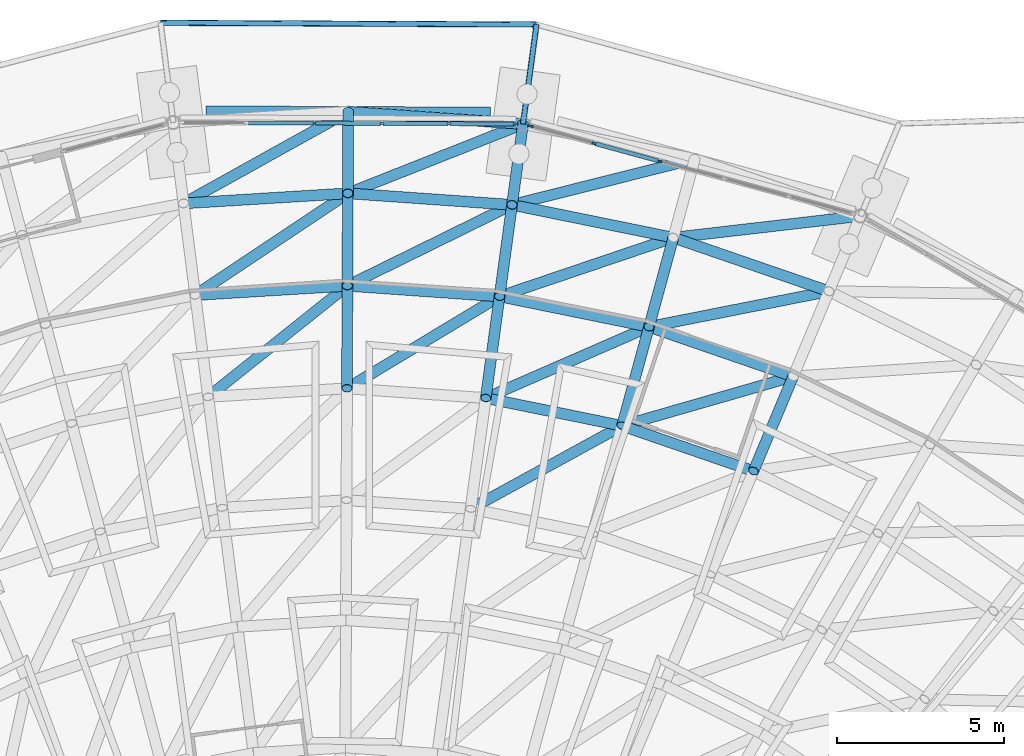
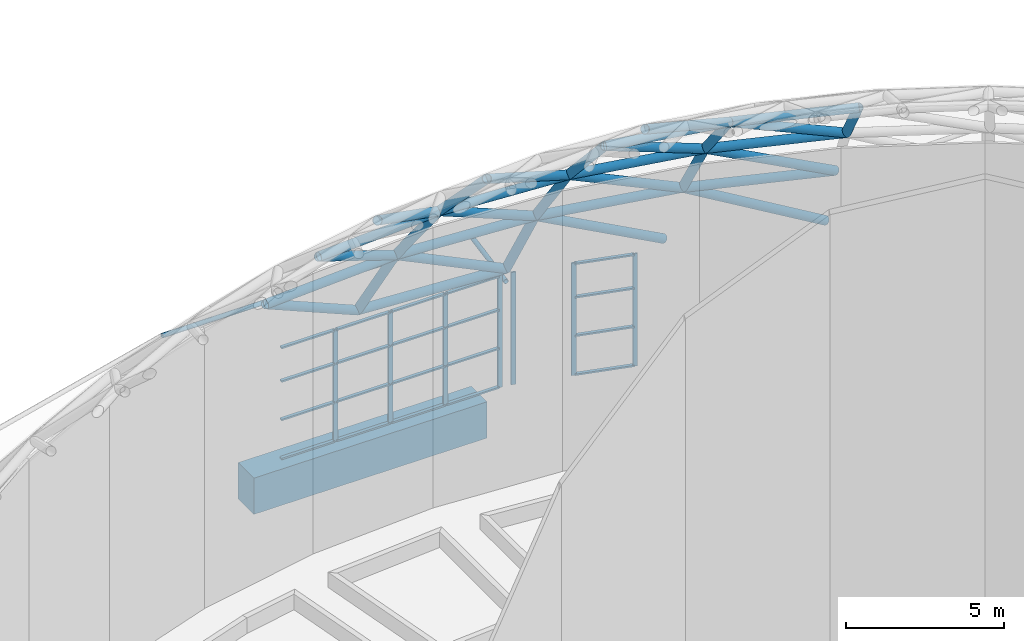
# One storey, part 118 of 226: 62 members, 1 beam, 2 elements without a shape of their own.
"""IFC4 building model written with IfcOpenShell, lengths in metres."""

from ifc_helpers import new_model, si_unit, direction, frame, origin, origin_2d, place, context, subcontext, project, spatial, rectangle, hollow_circle, extrude, material, material_profile, profile_set, type_object, element, aggregate, save


model = new_model("IFC4")

# Units and contexts
model_context = context("Model", 3, precision=1e-05, world=origin(), true_north=direction((0.0, 1.0)))
body_context = subcontext(model_context, "Body", "Model", "MODEL_VIEW")
ifc_project = project(units=[si_unit("LENGTHUNIT", "METRE"), si_unit("AREAUNIT", "SQUARE_METRE"), si_unit("VOLUMEUNIT", "CUBIC_METRE"), si_unit("PLANEANGLEUNIT", "RADIAN"), si_unit("MASSUNIT", "GRAM", prefix="KILO")], contexts=[model_context])

# Site, building, storey
site_placement = place(None, origin())
site = spatial("IfcSite", under=ifc_project, at=site_placement, CompositionType="ELEMENT")
building_placement = place(site_placement, origin())
building = spatial("IfcBuilding", under=site, at=building_placement, Name="Ceibo Conservatory and Research Tower", CompositionType="ELEMENT")
storey_placement = place(building_placement, origin())
storey = spatial("IfcBuildingStorey", under=building, at=storey_placement, Name="L00", CompositionType="ELEMENT", Elevation=0.0)

# Members
ifc_material_1 = material(Name="Steel ASTM A500 Gr C", Category="steel")
ifc_material_profile_1 = material_profile(ifc_material_1, hollow_circle(Radius=0.084228515625, WallThickness=0.007080078125, at=origin_2d()), Name="CHS 168.3x7.11")
ifc_profile_set_1 = profile_set([ifc_material_profile_1], Name="Steel ASTM A500 Gr C")
member_type_1 = type_object("IfcMemberType", Name="CHS 168.3x7.11", PredefinedType="NOTDEFINED", material=ifc_profile_set_1)
member_1_placement = place(storey_placement, frame((161.39404296875, 147.634521484375, 4.0), z_axis=(0.13470516102, 0.98984311441, -0.045443684375), x_axis=(-0.990866776767, 0.134844468553, 0.0)))
element("IfcMember", 1, at=member_1_placement, inside=storey, type_object=member_type_1, Name="Brim brace bracket A-BK06", PredefinedType="BRACE", context=body_context, shape_type="SweptSolid", body=[
    extrude(hollow_circle(Radius=0.084228515625, WallThickness=0.007080078125, at=origin_2d()), origin(), (0.0, 0.0, 1.0), 3.003173828125),
])
member_2_placement = place(storey_placement, frame((161.798583984375, 150.607177734375, 3.863525390625), z_axis=(-0.999990444449, 0.004371614236, 0.0), x_axis=(-0.004371614236, -0.999990444449, 0.0)))
element("IfcMember", 2, at=member_2_placement, inside=storey, type_object=member_type_1, Name="Brim tip ring A-TR10", PredefinedType="CHORD", context=body_context, shape_type="SweptSolid", body=[
    extrude(hollow_circle(Radius=0.084228515625, WallThickness=0.007080078125, at=origin_2d()), origin(), (0.0, 0.0, 1.0), 11.22509765625),
])
ifc_material_profile_2 = material_profile(ifc_material_1, hollow_circle(Radius=0.161865234375, WallThickness=0.01025390625, at=origin_2d()), Name="CHS 323.9x10.31")
ifc_profile_set_2 = profile_set([ifc_material_profile_2], Name="Steel ASTM A500 Gr C")
member_type_2 = type_object("IfcMemberType", Name="CHS 323.9x10.31", PredefinedType="NOTDEFINED", material=ifc_profile_set_2)
for number, where, z_axis, x_axis, name in (
    (3, (170.527099609375, 142.64208984375, 8.115966796875), (-0.945511761324, 0.325587943876, 0.0), (-0.325587943876, -0.945511761324, 0.0), "Gridshell member A-C02-09"),
    (4, (165.881103515625, 144.241943359375, 8.115966796875), (-0.979911984231, 0.199430446925, 0.0), (-0.199430446925, -0.979911984231, 0.0), "Gridshell member A-C02-10"),
    (5, (161.06591796875, 145.221923828125, 8.115966796875), (-0.997560558915, 0.069806384365, 0.0), (-0.069806384365, -0.997560558915, 0.0), "Gridshell member A-C02-11"),
):
    element("IfcMember", number, at=place(storey_placement, frame(where, z_axis=z_axis, x_axis=x_axis)), inside=storey, type_object=member_type_2, Name=name, PredefinedType="CHORD", context=body_context, shape_type="SweptSolid", body=[
        extrude(hollow_circle(Radius=0.161865234375, WallThickness=0.01025390625, at=origin_2d()), origin(), (0.0, 0.0, 1.0), 4.913818359375),
    ])
member_3_placement = place(storey_placement, frame((156.1640625, 145.56494140625, 8.115966796875), z_axis=(-0.998134248027, -0.061057537745, 0.0), x_axis=(0.061057537745, -0.998134248027, 0.0)))
element("IfcMember", 6, at=member_3_placement, inside=storey, type_object=member_type_2, Name="Gridshell member A-C02-12", PredefinedType="CHORD", context=body_context, shape_type="SweptSolid", body=[
    extrude(hollow_circle(Radius=0.161865234375, WallThickness=0.01025390625, at=origin_2d()), origin(), (0.0, 0.0, 1.0), 4.914306640625),
])
member_4_placement = place(storey_placement, frame((169.458984375, 140.096923828125, 11.489013671875), z_axis=(-0.945504565873, 0.325608838812, 0.0), x_axis=(-0.325608838812, -0.945504565873, 0.0)))
element("IfcMember", 7, at=member_4_placement, inside=storey, type_object=member_type_2, Name="Gridshell member A-C03-09", PredefinedType="CHORD", context=body_context, shape_type="SweptSolid", body=[
    extrude(hollow_circle(Radius=0.161865234375, WallThickness=0.01025390625, at=origin_2d()), origin(), (0.0, 0.0, 1.0), 4.552001953125),
])
member_5_placement = place(storey_placement, frame((165.155029296875, 141.5791015625, 11.489013671875), z_axis=(-0.979917310908, 0.199404272229, 0.0), x_axis=(-0.199404272229, -0.979917310908, 0.0)))
element("IfcMember", 8, at=member_5_placement, inside=storey, type_object=member_type_2, Name="Gridshell member A-C03-10", PredefinedType="CHORD", context=body_context, shape_type="SweptSolid", body=[
    extrude(hollow_circle(Radius=0.161865234375, WallThickness=0.01025390625, at=origin_2d()), origin(), (0.0, 0.0, 1.0), 4.553466796875),
])
member_6_placement = place(storey_placement, frame((160.693115234375, 142.487060546875, 11.489013671875), z_axis=(-0.997558967142, 0.0698291277, 0.0), x_axis=(-0.0698291277, -0.997558967142, 0.0)))
element("IfcMember", 9, at=member_6_placement, inside=storey, type_object=member_type_2, Name="Gridshell member A-C03-11", PredefinedType="CHORD", context=body_context, shape_type="SweptSolid", body=[
    extrude(hollow_circle(Radius=0.161865234375, WallThickness=0.01025390625, at=origin_2d()), origin(), (0.0, 0.0, 1.0), 4.55224609375),
])
member_7_placement = place(storey_placement, frame((156.152099609375, 142.804931640625, 11.489013671875), z_axis=(-0.998136170096, -0.061026108718, 0.0), x_axis=(0.061026108718, -0.998136170096, 0.0)))
element("IfcMember", 10, at=member_7_placement, inside=storey, type_object=member_type_2, Name="Gridshell member A-C03-12", PredefinedType="CHORD", context=body_context, shape_type="SweptSolid", body=[
    extrude(hollow_circle(Radius=0.161865234375, WallThickness=0.01025390625, at=origin_2d()), origin(), (0.0, 0.0, 1.0), 4.552734375),
])
member_8_placement = place(storey_placement, frame((168.27490234375, 137.27294921875, 14.591064453125), z_axis=(-0.945496636274, 0.325631863911, 0.0), x_axis=(-0.325631863911, -0.945496636274, 0.0)))
element("IfcMember", 11, at=member_8_placement, inside=storey, type_object=member_type_2, Name="Gridshell member A-C04-09", PredefinedType="CHORD", context=body_context, shape_type="SweptSolid", body=[
    extrude(hollow_circle(Radius=0.161865234375, WallThickness=0.01025390625, at=origin_2d()), origin(), (0.0, 0.0, 1.0), 4.152099609375),
])
member_9_placement = place(storey_placement, frame((164.34912109375, 138.625, 14.591064453125), z_axis=(-0.979914658126, 0.19941730815, 0.0), x_axis=(-0.19941730815, -0.979914658126, 0.0)))
element("IfcMember", 12, at=member_9_placement, inside=storey, type_object=member_type_2, Name="Gridshell member A-C04-10", PredefinedType="CHORD", context=body_context, shape_type="SweptSolid", body=[
    extrude(hollow_circle(Radius=0.161865234375, WallThickness=0.01025390625, at=origin_2d()), origin(), (0.0, 0.0, 1.0), 4.151611328125),
])
ifc_material_profile_3 = material_profile(ifc_material_1, hollow_circle(Radius=0.161865234375, WallThickness=0.01416015625, at=origin_2d()), Name="CHS 323.9x14.27")
ifc_profile_set_3 = profile_set([ifc_material_profile_3], Name="Steel ASTM A500 Gr C")
member_type_3 = type_object("IfcMemberType", Name="CHS 323.9x14.27", PredefinedType="NOTDEFINED", material=ifc_profile_set_3)
member_10_placement = place(storey_placement, frame((161.39404296875, 147.635009765625, 4.5), z_axis=(-0.075265420695, -0.553514448025, 0.829431656181), x_axis=(0.990881340725, -0.134737406104, 0.0)))
element("IfcMember", 13, at=member_10_placement, inside=storey, type_object=member_type_3, Name="Gridshell member A-M11-01", PredefinedType="RAFTER", context=body_context, shape_type="SweptSolid", body=[
    extrude(hollow_circle(Radius=0.161865234375, WallThickness=0.01416015625, at=origin_2d()), origin(), (0.0, 0.0, 1.0), 4.359619140625),
])
member_11_placement = place(storey_placement, frame((156.175048828125, 148.0, 4.5), z_axis=(-0.002520115107, -0.558569512856, 0.829453885594), x_axis=(0.999989822299, -0.00451168458, 0.0)))
element("IfcMember", 14, at=member_11_placement, inside=storey, type_object=member_type_3, Name="Gridshell member A-M12-01", PredefinedType="RAFTER", context=body_context, shape_type="SweptSolid", body=[
    extrude(hollow_circle(Radius=0.161865234375, WallThickness=0.01416015625, at=origin_2d()), origin(), (0.0, 0.0, 1.0), 4.359375),
])
for number, where, z_axis, x_axis, name in (
    (15, (165.881103515625, 144.241943359375, 8.115966796875), (-0.166593212939, -0.610972486053, 0.77392462339), (0.964778108691, -0.263065012858, 0.0), "Gridshell member A-M10-02"),
    (16, (161.06591796875, 145.221923828125, 8.115966796875), (-0.085536032676, -0.627488302576, 0.773913442992), (0.990836625864, -0.13506583893, 0.0), "Gridshell member A-M11-02"),
    (17, (156.1640625, 145.56494140625, 8.115966796875), (-0.002744819017, -0.633268958808, 0.773926929225), (0.999990606771, -0.004334324611, 0.0), "Gridshell member A-M12-02"),
):
    element("IfcMember", number, at=place(storey_placement, frame(where, z_axis=z_axis, x_axis=x_axis)), inside=storey, type_object=member_type_3, Name=name, PredefinedType="RAFTER", context=body_context, shape_type="SweptSolid", body=[
        extrude(hollow_circle(Radius=0.161865234375, WallThickness=0.01416015625, at=origin_2d()), origin(), (0.0, 0.0, 1.0), 4.3583984375),
    ])
for number, where, z_axis, x_axis, name in (
    (18, (169.458984375, 140.096923828125, 11.489013671875), (-0.271649894063, -0.647870994768, 0.711666712158), (0.922213642402, -0.386680743983, 0.0), "Gridshell member A-M09-03"),
    (19, (165.155029296875, 141.5791015625, 11.489013671875), (-0.184893261593, -0.677736584451, 0.711679424962), (0.964743579008, -0.263191616058, 0.0), "Gridshell member A-M10-03"),
):
    element("IfcMember", number, at=place(storey_placement, frame(where, z_axis=z_axis, x_axis=x_axis)), inside=storey, type_object=member_type_3, Name=name, PredefinedType="RAFTER", context=body_context, shape_type="SweptSolid", body=[
        extrude(hollow_circle(Radius=0.161865234375, WallThickness=0.01416015625, at=origin_2d()), origin(), (0.0, 0.0, 1.0), 4.35888671875),
    ])
for number, where, z_axis, x_axis, name in (
    (20, (160.693115234375, 142.487060546875, 11.489013671875), (-0.094547361543, -0.696110550504, 0.711681739194), (0.990901834894, -0.134586602615, 0.0), "Gridshell member A-M11-03"),
    (21, (156.152099609375, 142.804931640625, 11.489013671875), (-0.003024618665, -0.702495690598, 0.711681569505), (0.99999073132, -0.004305493501, 0.0), "Gridshell member A-M12-03"),
):
    element("IfcMember", number, at=place(storey_placement, frame(where, z_axis=z_axis, x_axis=x_axis)), inside=storey, type_object=member_type_3, Name=name, PredefinedType="RAFTER", context=body_context, shape_type="SweptSolid", body=[
        extrude(hollow_circle(Radius=0.161865234375, WallThickness=0.01416015625, at=origin_2d()), origin(), (0.0, 0.0, 1.0), 4.358642578125),
    ])
ifc_material_2 = material(Name="Steel S355J2H", Category="steel")
ifc_material_profile_4 = material_profile(ifc_material_2, hollow_circle(Radius=0.161865234375, WallThickness=0.025390625, at=origin_2d()), Name="CHS 323.9x25.40")
ifc_profile_set_4 = profile_set([ifc_material_profile_4], Name="Steel S355J2H")
member_type_4 = type_object("IfcMemberType", Name="CHS 323.9x25.40", PredefinedType="NOTDEFINED", material=ifc_profile_set_4)
member_12_placement = place(storey_placement, frame((161.39404296875, 147.635009765625, 4.5), z_axis=(-0.997563483444, 0.069764579115, 0.0), x_axis=(-0.069764579115, -0.997563483444, 0.0)))
element("IfcMember", 22, at=member_12_placement, inside=storey, type_object=member_type_4, Name="Gridshell member A-C01-11", PredefinedType="CHORD", context=body_context, shape_type="SweptSolid", body=[
    extrude(hollow_circle(Radius=0.161865234375, WallThickness=0.025390625, at=origin_2d()), origin(), (0.0, 0.0, 1.0), 5.231689453125),
])
ifc_material_profile_5 = material_profile(ifc_material_1, hollow_circle(Radius=0.161865234375, WallThickness=0.00830078125, at=origin_2d()), Name="CHS 323.9x8.38")
ifc_profile_set_5 = profile_set([ifc_material_profile_5], Name="Steel ASTM A500 Gr C")
member_type_5 = type_object("IfcMemberType", Name="CHS 323.9x8.38", PredefinedType="NOTDEFINED", material=ifc_profile_set_5)
for number, where, z_axis, x_axis, name in (
    (23, (171.468017578125, 144.887939453125, 4.5), (-0.835580749101, -0.096615393381, 0.540805212154), (0.114861367384, -0.993381531076, 0.0), "Gridshell diagonal member A-D01-09"),
    (24, (166.52099609375, 146.591064453125, 4.5), (-0.815849601308, -0.204765689408, 0.540796117301), (0.243434330255, -0.969917381458, 0.0), "Gridshell diagonal member A-D01-10"),
):
    element("IfcMember", number, at=place(storey_placement, frame(where, z_axis=z_axis, x_axis=x_axis)), inside=storey, type_object=member_type_5, Name=name, PredefinedType="BRACE", context=body_context, shape_type="SweptSolid", body=[
        extrude(hollow_circle(Radius=0.161865234375, WallThickness=0.00830078125, at=origin_2d()), origin(), (0.0, 0.0, 1.0), 6.686279296875),
    ])
member_13_placement = place(storey_placement, frame((161.39404296875, 147.635009765625, 4.5), z_axis=(-0.782136768693, -0.30957602753, 0.540763125811), x_axis=(0.368028124834, -0.929814658591, 0.0)))
element("IfcMember", 25, at=member_13_placement, inside=storey, type_object=member_type_5, Name="Gridshell diagonal member A-D01-11", PredefinedType="BRACE", context=body_context, shape_type="SweptSolid", body=[
    extrude(hollow_circle(Radius=0.161865234375, WallThickness=0.00830078125, at=origin_2d()), origin(), (0.0, 0.0, 1.0), 6.686767578125),
])
member_14_placement = place(storey_placement, frame((156.175048828125, 148.0, 4.5), z_axis=(-0.73510035822, -0.408985365174, 0.540701798053), x_axis=(0.486184490439, -0.87385619026, 0.0)))
element("IfcMember", 26, at=member_14_placement, inside=storey, type_object=member_type_5, Name="Gridshell diagonal member A-D01-12", PredefinedType="BRACE", context=body_context, shape_type="SweptSolid", body=[
    extrude(hollow_circle(Radius=0.161865234375, WallThickness=0.00830078125, at=origin_2d()), origin(), (0.0, 0.0, 1.0), 6.6875),
])
member_15_placement = place(storey_placement, frame((170.527099609375, 142.64208984375, 8.115966796875), z_axis=(-0.835251278152, -0.165273771363, 0.524442449507), x_axis=(0.194109539736, -0.980979860437, 0.0)))
element("IfcMember", 27, at=member_15_placement, inside=storey, type_object=member_type_5, Name="Gridshell diagonal member A-D02-09", PredefinedType="BRACE", context=body_context, shape_type="SweptSolid", body=[
    extrude(hollow_circle(Radius=0.161865234375, WallThickness=0.00830078125, at=origin_2d()), origin(), (0.0, 0.0, 1.0), 6.431640625),
])
member_16_placement = place(storey_placement, frame((165.881103515625, 144.241943359375, 8.115966796875), z_axis=(-0.806574062283, -0.272830793397, 0.524405987977), x_axis=(0.320423879239, -0.947274267366, 0.0)))
element("IfcMember", 28, at=member_16_placement, inside=storey, type_object=member_type_5, Name="Gridshell diagonal member A-D02-10", PredefinedType="BRACE", context=body_context, shape_type="SweptSolid", body=[
    extrude(hollow_circle(Radius=0.161865234375, WallThickness=0.00830078125, at=origin_2d()), origin(), (0.0, 0.0, 1.0), 6.43212890625),
])
for number, where, z_axis, x_axis, name in (
    (29, (161.06591796875, 145.221923828125, 8.115966796875), (-0.764017085696, -0.375802113996, 0.524452727976), (0.441372621846, -0.897323915141, 0.0), "Gridshell diagonal member A-D02-11"),
    (30, (156.1640625, 145.56494140625, 8.115966796875), (-0.70840986214, -0.472336508124, 0.524455613295), (0.554751637586, -0.8320159978, 0.0), "Gridshell diagonal member A-D02-12"),
):
    element("IfcMember", number, at=place(storey_placement, frame(where, z_axis=z_axis, x_axis=x_axis)), inside=storey, type_object=member_type_5, Name=name, PredefinedType="BRACE", context=body_context, shape_type="SweptSolid", body=[
        extrude(hollow_circle(Radius=0.161865234375, WallThickness=0.00830078125, at=origin_2d()), origin(), (0.0, 0.0, 1.0), 6.431640625),
    ])
for number, where, z_axis, x_axis, name in (
    (31, (169.458984375, 140.096923828125, 11.489013671875), (-0.830022339055, -0.239092435842, 0.503882648831), (0.276800362223, -0.960927447559, 0.0), "Gridshell diagonal member A-D03-09"),
    (32, (165.155029296875, 141.5791015625, 11.489013671875), (-0.791717204158, -0.345374931427, 0.50388493268), (0.399845579555, -0.916582518113, 0.0), "Gridshell diagonal member A-D03-10"),
):
    element("IfcMember", number, at=place(storey_placement, frame(where, z_axis=z_axis, x_axis=x_axis)), inside=storey, type_object=member_type_5, Name=name, PredefinedType="BRACE", context=body_context, shape_type="SweptSolid", body=[
        extrude(hollow_circle(Radius=0.161865234375, WallThickness=0.00830078125, at=origin_2d()), origin(), (0.0, 0.0, 1.0), 6.15625),
    ])
member_17_placement = place(storey_placement, frame((160.693115234375, 142.487060546875, 11.489013671875), z_axis=(-0.739823614674, -0.44578200005, 0.503924029594), x_axis=(0.516101930816, -0.85652717237, 0.0)))
element("IfcMember", 33, at=member_17_placement, inside=storey, type_object=member_type_5, Name="Gridshell diagonal member A-D03-11", PredefinedType="BRACE", context=body_context, shape_type="SweptSolid", body=[
    extrude(hollow_circle(Radius=0.161865234375, WallThickness=0.00830078125, at=origin_2d()), origin(), (0.0, 0.0, 1.0), 6.15576171875),
])
member_18_placement = place(storey_placement, frame((156.152099609375, 142.804931640625, 11.489013671875), z_axis=(-0.675361570815, -0.538560407164, 0.50382480735), x_axis=(0.623473898709, -0.781844164542, 0.0)))
element("IfcMember", 34, at=member_18_placement, inside=storey, type_object=member_type_5, Name="Gridshell diagonal member A-D03-12", PredefinedType="BRACE", context=body_context, shape_type="SweptSolid", body=[
    extrude(hollow_circle(Radius=0.161865234375, WallThickness=0.00830078125, at=origin_2d()), origin(), (0.0, 0.0, 1.0), 6.156982421875),
])
member_19_placement = place(storey_placement, frame((164.34912109375, 138.625, 14.591064453125), z_axis=(-0.770161684781, -0.422486318059, 0.477866393826), x_axis=(0.480954773031, -0.876745405633, 0.0)))
element("IfcMember", 35, at=member_19_placement, inside=storey, type_object=member_type_5, Name="Gridshell diagonal member A-D04-10", PredefinedType="BRACE", context=body_context, shape_type="SweptSolid", body=[
    extrude(hollow_circle(Radius=0.161865234375, WallThickness=0.00830078125, at=origin_2d()), origin(), (0.0, 0.0, 1.0), 5.86767578125),
])

# Curtain wall, members
ifc_material_3 = material(Name="Aluminium and glass", Category="aluminium")
curtain_wall_type = type_object("IfcCurtainWallType", Name="Drum curtain wall", PredefinedType="NOTDEFINED", material=ifc_material_3)
curtain_wall_1_placement = place(storey_placement, origin())
curtain_wall_1 = element("IfcCurtainWall", 36, at=curtain_wall_1_placement, inside=storey, type_object=curtain_wall_type, Name="Drum curtain wall A-CW05", PredefinedType="NOTDEFINED")
ifc_material_4 = material(Name="Aluminium", Category="aluminium")
ifc_material_profile_6 = material_profile(ifc_material_4, rectangle(XDim=0.06005859375, YDim=0.159912109375, at=origin_2d()), Name="AL 60x160")
ifc_profile_set_6 = profile_set([ifc_material_profile_6], Name="Aluminium")
member_type_6 = type_object("IfcMemberType", Name="Drum mullion 60x160", PredefinedType="MULLION", material=ifc_profile_set_6)
member_20_placement = place(storey_placement, frame((165.462890625, 146.525390625, 0.0), z_axis=(0.0, 0.0, 1.0), x_axis=(-0.263031218095, -0.964787322837, 0.0)))
member_20 = element("IfcMember", 37, at=member_20_placement, type_object=member_type_6, Name="A-CW05 mullion 4", PredefinedType="MULLION", context=body_context, shape_type="SweptSolid", body=[
    extrude(rectangle(XDim=0.06005859375, YDim=0.159912109375, at=origin_2d()), origin(), (0.0, 0.0, 1.0), 4.338134765625),
])
member_21_placement = place(storey_placement, frame((163.526611328125, 147.05322265625, 0.0), z_axis=(0.0, 0.0, 1.0), x_axis=(-0.263031218095, -0.964787322837, 0.0)))
member_21 = element("IfcMember", 38, at=member_21_placement, type_object=member_type_6, Name="A-CW05 mullion 5", PredefinedType="MULLION", context=body_context, shape_type="SweptSolid", body=[
    extrude(rectangle(XDim=0.06005859375, YDim=0.159912109375, at=origin_2d()), origin(), (0.0, 0.0, 1.0), 4.338134765625),
])
member_22_placement = place(storey_placement, frame((161.619140625, 147.5732421875, 0.0), z_axis=(0.0, 0.0, 1.0), x_axis=(-0.263031218095, -0.964787322837, 0.0)))
member_22 = element("IfcMember", 39, at=member_22_placement, type_object=member_type_6, Name="A-CW05 mullion 6", PredefinedType="MULLION", context=body_context, shape_type="SweptSolid", body=[
    extrude(rectangle(XDim=0.06005859375, YDim=0.159912109375, at=origin_2d()), origin(), (0.0, 0.0, 1.0), 4.338134765625),
])

curtain_wall_2_placement = place(storey_placement, origin())
curtain_wall_2 = element("IfcCurtainWall", 40, at=curtain_wall_2_placement, inside=storey, type_object=curtain_wall_type, Name="Drum curtain wall A-CW06", PredefinedType="NOTDEFINED")
member_23_placement = place(storey_placement, frame((161.160888671875, 147.6357421875, 0.0), z_axis=(0.0, 0.0, 1.0), x_axis=(-0.004363300488, -0.999990480759, 0.0)))
member_23 = element("IfcMember", 41, at=member_23_placement, type_object=member_type_6, Name="A-CW06 mullion 1", PredefinedType="MULLION", context=body_context, shape_type="SweptSolid", body=[
    extrude(rectangle(XDim=0.06005859375, YDim=0.159912109375, at=origin_2d()), origin(), (0.0, 0.0, 1.0), 4.338134765625),
])
member_24_placement = place(storey_placement, frame((159.183837890625, 147.644287109375, 0.0), z_axis=(0.0, 0.0, 1.0), x_axis=(-0.004363300488, -0.999990480759, 0.0)))
member_24 = element("IfcMember", 42, at=member_24_placement, type_object=member_type_6, Name="A-CW06 mullion 2", PredefinedType="MULLION", context=body_context, shape_type="SweptSolid", body=[
    extrude(rectangle(XDim=0.06005859375, YDim=0.159912109375, at=origin_2d()), origin(), (0.0, 0.0, 1.0), 4.338134765625),
])
member_25_placement = place(storey_placement, frame((157.176513671875, 147.653076171875, 0.0), z_axis=(0.0, 0.0, 1.0), x_axis=(-0.004363300488, -0.999990480759, 0.0)))
member_25 = element("IfcMember", 43, at=member_25_placement, type_object=member_type_6, Name="A-CW06 mullion 3", PredefinedType="MULLION", context=body_context, shape_type="SweptSolid", body=[
    extrude(rectangle(XDim=0.06005859375, YDim=0.159912109375, at=origin_2d()), origin(), (0.0, 0.0, 1.0), 4.338134765625),
])
member_26_placement = place(storey_placement, frame((155.16943359375, 147.661865234375, 0.0), z_axis=(0.0, 0.0, 1.0), x_axis=(-0.004363300488, -0.999990480759, 0.0)))
member_26 = element("IfcMember", 44, at=member_26_placement, type_object=member_type_6, Name="A-CW06 mullion 4", PredefinedType="MULLION", context=body_context, shape_type="SweptSolid", body=[
    extrude(rectangle(XDim=0.06005859375, YDim=0.159912109375, at=origin_2d()), origin(), (0.0, 0.0, 1.0), 4.338134765625),
])

# Member
ifc_material_profile_7 = material_profile(ifc_material_4, rectangle(XDim=0.1201171875, YDim=0.06005859375, at=origin_2d()), Name="AL 60x120")
ifc_profile_set_7 = profile_set([ifc_material_profile_7], Name="Aluminium")
member_type_7 = type_object("IfcMemberType", Name="Drum transom 60x120", PredefinedType="USERDEFINED", material=ifc_profile_set_7)
member_27_placement = place(storey_placement, frame((165.43408203125, 146.533203125, 0.030029296875), z_axis=(-0.964784071756, 0.263043142631, 0.0), x_axis=(-0.263043142631, -0.964784071756, 0.0)))
member_27 = element("IfcMember", 45, at=member_27_placement, type_object=member_type_7, Name="A-CW05 transom 4.1", ObjectType="TRANSOM", PredefinedType="USERDEFINED", context=body_context, shape_type="SweptSolid", body=[
    extrude(rectangle(XDim=0.1201171875, YDim=0.06005859375, at=origin_2d()), origin(), (0.0, 0.0, 1.0), 1.947265625),
])

member_28_placement = place(storey_placement, frame((165.43408203125, 146.533203125, 1.530029296875), z_axis=(-0.964784071756, 0.263043142631, 0.0), x_axis=(-0.263043142631, -0.964784071756, 0.0)))
member_28 = element("IfcMember", 46, at=member_28_placement, type_object=member_type_7, Name="A-CW05 transom 4.2", ObjectType="TRANSOM", PredefinedType="USERDEFINED", context=body_context, shape_type="SweptSolid", body=[
    extrude(rectangle(XDim=0.1201171875, YDim=0.06005859375, at=origin_2d()), origin(), (0.0, 0.0, 1.0), 1.947265625),
])

member_29_placement = place(storey_placement, frame((165.43408203125, 146.533203125, 3.014892578125), z_axis=(-0.964784071756, 0.263043142631, 0.0), x_axis=(-0.263043142631, -0.964784071756, 0.0)))
member_29 = element("IfcMember", 47, at=member_29_placement, type_object=member_type_7, Name="A-CW05 transom 4.3", ObjectType="TRANSOM", PredefinedType="USERDEFINED", context=body_context, shape_type="SweptSolid", body=[
    extrude(rectangle(XDim=0.1201171875, YDim=0.06005859375, at=origin_2d()), origin(), (0.0, 0.0, 1.0), 1.947265625),
])

member_30_placement = place(storey_placement, frame((165.43408203125, 146.533203125, 4.30810546875), z_axis=(-0.964784071756, 0.263043142631, 0.0), x_axis=(-0.263043142631, -0.964784071756, 0.0)))
member_30 = element("IfcMember", 48, at=member_30_placement, type_object=member_type_7, Name="A-CW05 transom 4.4", ObjectType="TRANSOM", PredefinedType="USERDEFINED", context=body_context, shape_type="SweptSolid", body=[
    extrude(rectangle(XDim=0.1201171875, YDim=0.06005859375, at=origin_2d()), origin(), (0.0, 0.0, 1.0), 1.947265625),
])

aggregate(curtain_wall_1, [member_20, member_21, member_22, member_27, member_28, member_29, member_30])

member_31_placement = place(storey_placement, frame((161.130859375, 147.6357421875, 0.030029296875), z_axis=(-0.999990627606, 0.004329515006, 0.0), x_axis=(-0.004329515006, -0.999990627606, 0.0)))
member_31 = element("IfcMember", 49, at=member_31_placement, type_object=member_type_7, Name="A-CW06 transom 1.1", ObjectType="TRANSOM", PredefinedType="USERDEFINED", context=body_context, shape_type="SweptSolid", body=[
    extrude(rectangle(XDim=0.1201171875, YDim=0.06005859375, at=origin_2d()), origin(), (0.0, 0.0, 1.0), 1.917236328125),
])

member_32_placement = place(storey_placement, frame((161.130859375, 147.6357421875, 1.530029296875), z_axis=(-0.999990627606, 0.004329515006, 0.0), x_axis=(-0.004329515006, -0.999990627606, 0.0)))
member_32 = element("IfcMember", 50, at=member_32_placement, type_object=member_type_7, Name="A-CW06 transom 1.2", ObjectType="TRANSOM", PredefinedType="USERDEFINED", context=body_context, shape_type="SweptSolid", body=[
    extrude(rectangle(XDim=0.1201171875, YDim=0.06005859375, at=origin_2d()), origin(), (0.0, 0.0, 1.0), 1.917236328125),
])

member_33_placement = place(storey_placement, frame((161.130859375, 147.6357421875, 3.014892578125), z_axis=(-0.999990627606, 0.004329515006, 0.0), x_axis=(-0.004329515006, -0.999990627606, 0.0)))
member_33 = element("IfcMember", 51, at=member_33_placement, type_object=member_type_7, Name="A-CW06 transom 1.3", ObjectType="TRANSOM", PredefinedType="USERDEFINED", context=body_context, shape_type="SweptSolid", body=[
    extrude(rectangle(XDim=0.1201171875, YDim=0.06005859375, at=origin_2d()), origin(), (0.0, 0.0, 1.0), 1.917236328125),
])

member_34_placement = place(storey_placement, frame((161.130859375, 147.6357421875, 4.30810546875), z_axis=(-0.999990627606, 0.004329515006, 0.0), x_axis=(-0.004329515006, -0.999990627606, 0.0)))
member_34 = element("IfcMember", 52, at=member_34_placement, type_object=member_type_7, Name="A-CW06 transom 1.4", ObjectType="TRANSOM", PredefinedType="USERDEFINED", context=body_context, shape_type="SweptSolid", body=[
    extrude(rectangle(XDim=0.1201171875, YDim=0.06005859375, at=origin_2d()), origin(), (0.0, 0.0, 1.0), 1.917236328125),
])

member_35_placement = place(storey_placement, frame((159.15380859375, 147.64453125, 0.030029296875), z_axis=(-0.999990914441, 0.004262749635, 0.0), x_axis=(-0.004262749635, -0.999990914441, 0.0)))
member_35 = element("IfcMember", 53, at=member_35_placement, type_object=member_type_7, Name="A-CW06 transom 2.1", ObjectType="TRANSOM", PredefinedType="USERDEFINED", context=body_context, shape_type="SweptSolid", body=[
    extrude(rectangle(XDim=0.1201171875, YDim=0.06005859375, at=origin_2d()), origin(), (0.0, 0.0, 1.0), 1.947265625),
])

member_36_placement = place(storey_placement, frame((159.15380859375, 147.64453125, 1.530029296875), z_axis=(-0.999990914441, 0.004262749635, 0.0), x_axis=(-0.004262749635, -0.999990914441, 0.0)))
member_36 = element("IfcMember", 54, at=member_36_placement, type_object=member_type_7, Name="A-CW06 transom 2.2", ObjectType="TRANSOM", PredefinedType="USERDEFINED", context=body_context, shape_type="SweptSolid", body=[
    extrude(rectangle(XDim=0.1201171875, YDim=0.06005859375, at=origin_2d()), origin(), (0.0, 0.0, 1.0), 1.947265625),
])

member_37_placement = place(storey_placement, frame((159.15380859375, 147.64453125, 3.014892578125), z_axis=(-0.999990914441, 0.004262749635, 0.0), x_axis=(-0.004262749635, -0.999990914441, 0.0)))
member_37 = element("IfcMember", 55, at=member_37_placement, type_object=member_type_7, Name="A-CW06 transom 2.3", ObjectType="TRANSOM", PredefinedType="USERDEFINED", context=body_context, shape_type="SweptSolid", body=[
    extrude(rectangle(XDim=0.1201171875, YDim=0.06005859375, at=origin_2d()), origin(), (0.0, 0.0, 1.0), 1.947265625),
])

member_38_placement = place(storey_placement, frame((159.15380859375, 147.64453125, 4.30810546875), z_axis=(-0.999990914441, 0.004262749635, 0.0), x_axis=(-0.004262749635, -0.999990914441, 0.0)))
member_38 = element("IfcMember", 56, at=member_38_placement, type_object=member_type_7, Name="A-CW06 transom 2.4", ObjectType="TRANSOM", PredefinedType="USERDEFINED", context=body_context, shape_type="SweptSolid", body=[
    extrude(rectangle(XDim=0.1201171875, YDim=0.06005859375, at=origin_2d()), origin(), (0.0, 0.0, 1.0), 1.947265625),
])

member_39_placement = place(storey_placement, frame((157.146484375, 147.653076171875, 0.030029296875), z_axis=(-0.999990369731, 0.004388672469, 0.0), x_axis=(-0.004388672469, -0.999990369731, 0.0)))
member_39 = element("IfcMember", 57, at=member_39_placement, type_object=member_type_7, Name="A-CW06 transom 3.1", ObjectType="TRANSOM", PredefinedType="USERDEFINED", context=body_context, shape_type="SweptSolid", body=[
    extrude(rectangle(XDim=0.1201171875, YDim=0.06005859375, at=origin_2d()), origin(), (0.0, 0.0, 1.0), 1.947021484375),
])

member_40_placement = place(storey_placement, frame((157.146484375, 147.653076171875, 1.530029296875), z_axis=(-0.999990369731, 0.004388672469, 0.0), x_axis=(-0.004388672469, -0.999990369731, 0.0)))
member_40 = element("IfcMember", 58, at=member_40_placement, type_object=member_type_7, Name="A-CW06 transom 3.2", ObjectType="TRANSOM", PredefinedType="USERDEFINED", context=body_context, shape_type="SweptSolid", body=[
    extrude(rectangle(XDim=0.1201171875, YDim=0.06005859375, at=origin_2d()), origin(), (0.0, 0.0, 1.0), 1.947021484375),
])

member_41_placement = place(storey_placement, frame((157.146484375, 147.653076171875, 3.014892578125), z_axis=(-0.999990369731, 0.004388672469, 0.0), x_axis=(-0.004388672469, -0.999990369731, 0.0)))
member_41 = element("IfcMember", 59, at=member_41_placement, type_object=member_type_7, Name="A-CW06 transom 3.3", ObjectType="TRANSOM", PredefinedType="USERDEFINED", context=body_context, shape_type="SweptSolid", body=[
    extrude(rectangle(XDim=0.1201171875, YDim=0.06005859375, at=origin_2d()), origin(), (0.0, 0.0, 1.0), 1.947021484375),
])

member_42_placement = place(storey_placement, frame((157.146484375, 147.653076171875, 4.30810546875), z_axis=(-0.999990369731, 0.004388672469, 0.0), x_axis=(-0.004388672469, -0.999990369731, 0.0)))
member_42 = element("IfcMember", 60, at=member_42_placement, type_object=member_type_7, Name="A-CW06 transom 3.4", ObjectType="TRANSOM", PredefinedType="USERDEFINED", context=body_context, shape_type="SweptSolid", body=[
    extrude(rectangle(XDim=0.1201171875, YDim=0.06005859375, at=origin_2d()), origin(), (0.0, 0.0, 1.0), 1.947021484375),
])

member_43_placement = place(storey_placement, frame((155.139404296875, 147.661865234375, 0.030029296875), z_axis=(-0.999990369731, 0.004388672469, 0.0), x_axis=(-0.004388672469, -0.999990369731, 0.0)))
member_43 = element("IfcMember", 61, at=member_43_placement, type_object=member_type_7, Name="A-CW06 transom 4.1", ObjectType="TRANSOM", PredefinedType="USERDEFINED", context=body_context, shape_type="SweptSolid", body=[
    extrude(rectangle(XDim=0.1201171875, YDim=0.06005859375, at=origin_2d()), origin(), (0.0, 0.0, 1.0), 1.947021484375),
])

member_44_placement = place(storey_placement, frame((155.139404296875, 147.661865234375, 1.530029296875), z_axis=(-0.999990369731, 0.004388672469, 0.0), x_axis=(-0.004388672469, -0.999990369731, 0.0)))
member_44 = element("IfcMember", 62, at=member_44_placement, type_object=member_type_7, Name="A-CW06 transom 4.2", ObjectType="TRANSOM", PredefinedType="USERDEFINED", context=body_context, shape_type="SweptSolid", body=[
    extrude(rectangle(XDim=0.1201171875, YDim=0.06005859375, at=origin_2d()), origin(), (0.0, 0.0, 1.0), 1.947021484375),
])

member_45_placement = place(storey_placement, frame((155.139404296875, 147.661865234375, 3.014892578125), z_axis=(-0.999990369731, 0.004388672469, 0.0), x_axis=(-0.004388672469, -0.999990369731, 0.0)))
member_45 = element("IfcMember", 63, at=member_45_placement, type_object=member_type_7, Name="A-CW06 transom 4.3", ObjectType="TRANSOM", PredefinedType="USERDEFINED", context=body_context, shape_type="SweptSolid", body=[
    extrude(rectangle(XDim=0.1201171875, YDim=0.06005859375, at=origin_2d()), origin(), (0.0, 0.0, 1.0), 1.947021484375),
])

member_46_placement = place(storey_placement, frame((155.139404296875, 147.661865234375, 4.30810546875), z_axis=(-0.999990369731, 0.004388672469, 0.0), x_axis=(-0.004388672469, -0.999990369731, 0.0)))
member_46 = element("IfcMember", 64, at=member_46_placement, type_object=member_type_7, Name="A-CW06 transom 4.4", ObjectType="TRANSOM", PredefinedType="USERDEFINED", context=body_context, shape_type="SweptSolid", body=[
    extrude(rectangle(XDim=0.1201171875, YDim=0.06005859375, at=origin_2d()), origin(), (0.0, 0.0, 1.0), 1.947021484375),
])

aggregate(curtain_wall_2, [member_23, member_24, member_25, member_26, member_31, member_32, member_33, member_34, member_35, member_36, member_37, member_38, member_39, member_40, member_41, member_42, member_43, member_44, member_45, member_46])

# Beam
ifc_material_5 = material(Name="Concrete C35/45", Category="concrete")
ifc_material_profile_8 = material_profile(ifc_material_5, rectangle(XDim=1.0, YDim=1.39990234375, at=origin_2d()), Name="RC 1000x1400")
ifc_profile_set_8 = profile_set([ifc_material_profile_8], Name="Concrete C35/45")
beam_type = type_object("IfcBeamType", Name="RC ring beam 1000x1400", PredefinedType="BEAM", material=ifc_profile_set_8)
beam_placement = place(storey_placement, frame((160.41943359375, 147.638916015625, -0.699951171875), z_axis=(-0.999990454097, 0.004369406647, 0.0), x_axis=(-0.004369406647, -0.999990454097, 0.0)))
element("IfcBeam", 65, at=beam_placement, inside=storey, type_object=beam_type, Name="Drum ring beam A-RB06", PredefinedType="BEAM", context=body_context, shape_type="SweptSolid", body=[
    extrude(rectangle(XDim=1.0, YDim=1.39990234375, at=origin_2d()), origin(), (0.0, 0.0, 1.0), 8.492919921875),
])

save(model, "model.ifc")
